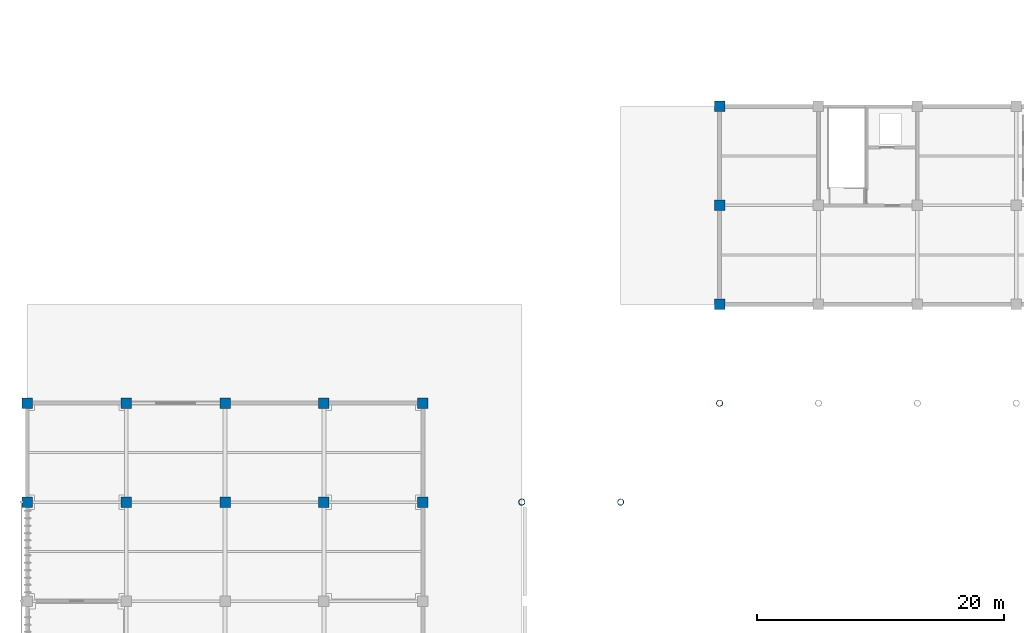
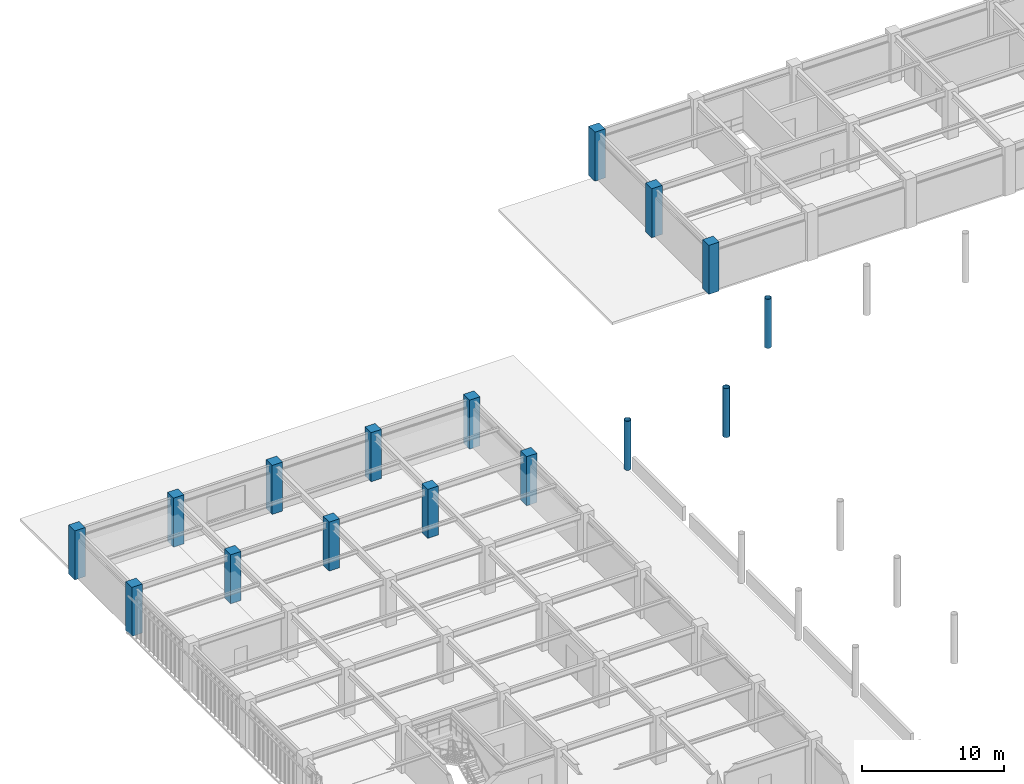
# One storey, part 16 of 78: 16 columns.
"""IFC4 building model written with IfcOpenShell, lengths in metres."""

from ifc_helpers import new_model, si_unit, direction, frame, origin, origin_2d, place, context, subcontext, project, spatial, rectangle, hollow_circle, extrude, material, material_profile, profile_set, type_object, element, save


model = new_model("IFC4")

# Units and contexts
model_context = context("Model", 3, precision=1e-05, world=origin(), true_north=direction((0.0, 1.0)))
body_context = subcontext(model_context, "Body", "Model", "MODEL_VIEW")
ifc_project = project(units=[si_unit("LENGTHUNIT", "METRE"), si_unit("AREAUNIT", "SQUARE_METRE"), si_unit("VOLUMEUNIT", "CUBIC_METRE"), si_unit("PLANEANGLEUNIT", "RADIAN"), si_unit("MASSUNIT", "GRAM", prefix="KILO")], contexts=[model_context])

# Site, building, storey
site_placement = place(None, origin())
site = spatial("IfcSite", under=ifc_project, at=site_placement, CompositionType="ELEMENT")
building_placement = place(site_placement, origin())
building = spatial("IfcBuilding", under=site, at=building_placement, Name="Haebicheon Civic Stadium", CompositionType="ELEMENT")
storey_placement = place(building_placement, frame((0.0, 0.0, 18.60009765625)))
storey = spatial("IfcBuildingStorey", under=building, at=storey_placement, Name="L05", CompositionType="ELEMENT", Elevation=18.60009765625)

# Columns
ifc_material_1 = material(Name="Concrete C40/50", Category="concrete")
ifc_material_profile_1 = material_profile(ifc_material_1, rectangle(XDim=0.85009765625, YDim=0.85009765625, at=origin_2d()), Name="RC-COL-850x850")
ifc_profile_set_1 = profile_set([ifc_material_profile_1], Name="Concrete C40/50")
column_type_1 = type_object("IfcColumnType", Name="COL-RC-850", PredefinedType="COLUMN", material=ifc_profile_set_1)
for number, where, z_axis, x_axis, name in (
    (1, (24.0, 136.0, 0.0), (0.0, 0.0, 1.0), (1.0, 0.0, 0.0), "L05 column 4/T"),
    (2, (24.0, 144.0, 0.0), (0.0, 0.0, 1.0), (1.0, 0.0, 0.0), "L05 column 4/U"),
    (3, (32.0, 136.0, 0.0), (0.0, 0.0, 1.0), (1.0, 0.0, 0.0), "L05 column 5/T"),
    (4, (32.0, 144.0, 0.0), (0.0, 0.0, 1.0), (1.0, 0.0, 0.0), "L05 column 5/U"),
    (5, (40.0, 136.0, 0.0), (0.0, 0.0, 1.0), (1.0, 0.0, 0.0), "L05 column 6/T"),
    (6, (40.0, 144.0, 0.0), (0.0, 0.0, 1.0), (1.0, 0.0, 0.0), "L05 column 6/U"),
    (7, (48.0, 136.0, 0.0), (0.0, 0.0, 1.0), (1.0, 0.0, 0.0), "L05 column 7/T"),
    (8, (48.0, 144.0, 0.0), (0.0, 0.0, 1.0), (1.0, 0.0, 0.0), "L05 column 7/U"),
    (9, (56.0, 136.0, 0.0), (0.0, 0.0, 1.0), (1.0, 0.0, 0.0), "L05 column 8/T"),
    (10, (56.0, 144.0, 0.0), (0.0, 0.0, 1.0), (1.0, 0.0, 0.0), "L05 column 8/U"),
    (11, (80.0, 152.0, 0.0), (0.0, 0.0, 1.0), (1.0, 0.0, 0.0), "L05 column 11/V"),
    (12, (80.0, 160.0, 0.0), (0.0, 0.0, 1.0), (1.0, 0.0, 0.0), "L05 column 11/W"),
    (13, (80.0, 168.0, 0.0), (0.0, 0.0, 1.0), (1.0, 0.0, 0.0), "L05 column 11/X"),
):
    element("IfcColumn", number, at=place(storey_placement, frame(where, z_axis=z_axis, x_axis=x_axis)), inside=storey, type_object=column_type_1, material=ifc_profile_set_1, Name=name, PredefinedType="COLUMN", context=body_context, shape_type="SweptSolid", body=[
        extrude(rectangle(XDim=0.85009765625, YDim=0.85009765625, at=origin_2d()), origin(), (0.0, 0.0, 1.0), 4.199951171875),
    ])
ifc_material_2 = material(Name="White painted steel SM490", Category="steel")
ifc_material_profile_2 = material_profile(ifc_material_2, hollow_circle(Radius=0.25390625, WallThickness=0.02490234375, at=origin_2d()), Name="CHS-508.0x25.0")
ifc_profile_set_2 = profile_set([ifc_material_profile_2], Name="White painted steel SM490")
column_type_2 = type_object("IfcColumnType", Name="COL-ST-CHS508", PredefinedType="COLUMN", material=ifc_profile_set_2)
for number, where, z_axis, x_axis, name in (
    (14, (64.0, 136.0, 0.0), (0.0, 0.0, 1.0), (1.0, 0.0, 0.0), "Bowl/canopy support column 64/136 (L05)"),
    (15, (72.0, 136.0, 0.0), (0.0, 0.0, 1.0), (1.0, 0.0, 0.0), "Bowl/canopy support column 72/136 (L05)"),
    (16, (80.0, 144.0, 0.0), (0.0, 0.0, 1.0), (1.0, 0.0, 0.0), "Bowl/canopy support column 80/144 (L05)"),
):
    element("IfcColumn", number, at=place(storey_placement, frame(where, z_axis=z_axis, x_axis=x_axis)), inside=storey, type_object=column_type_2, material=ifc_profile_set_2, Name=name, PredefinedType="COLUMN", context=body_context, shape_type="SweptSolid", body=[
        extrude(hollow_circle(Radius=0.25390625, WallThickness=0.02490234375, at=origin_2d()), origin(), (0.0, 0.0, 1.0), 4.199951171875),
    ])

save(model, "model.ifc")
